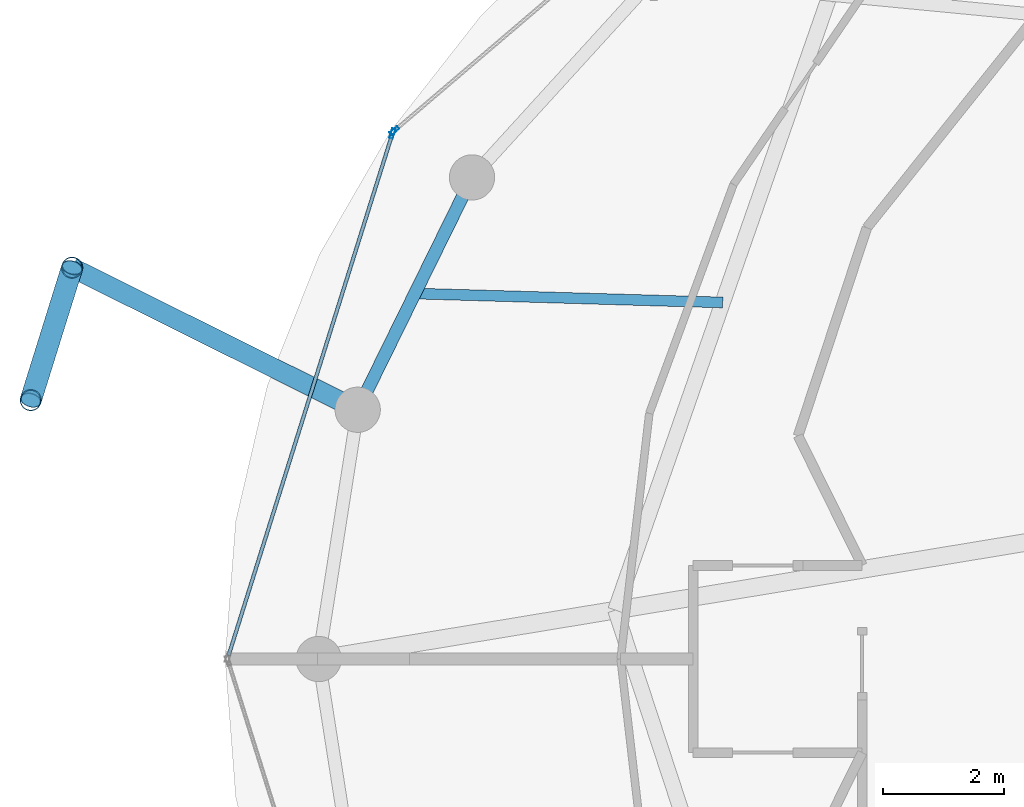
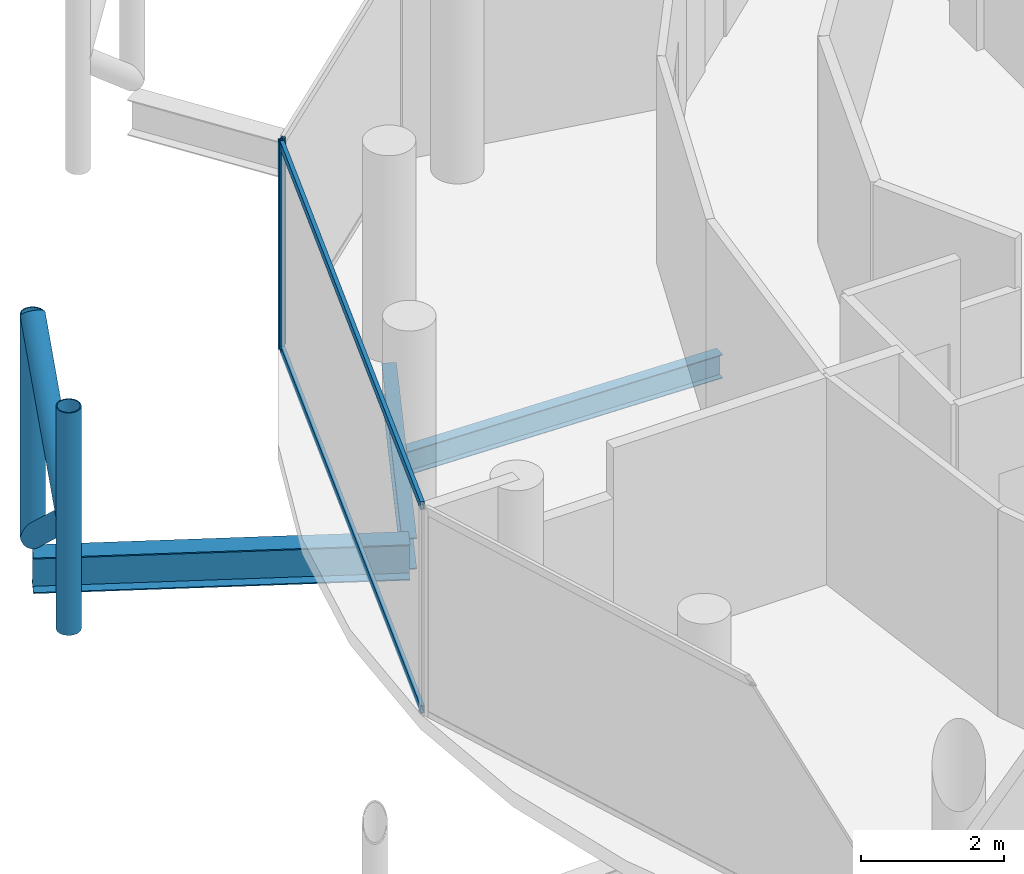
# One storey, part 7 of 24: 8 members, 3 beams, 2 elements without a shape of their own.
"""IFC4 building model written with IfcOpenShell, lengths in metres."""

from ifc_helpers import new_model, si_unit, direction, frame, origin, origin_2d, place, context, subcontext, project, spatial, hollow_rectangle, hollow_circle, i_section, extrude, material, layer, layer_set, material_profile, profile_set, type_object, element, aggregate, save


model = new_model("IFC4")

# Units and contexts
model_context = context("Model", 3, precision=1e-05, world=origin(), true_north=direction((0.0, 1.0)))
body_context = subcontext(model_context, "Body", "Model", "MODEL_VIEW")
ifc_project = project(units=[si_unit("LENGTHUNIT", "METRE"), si_unit("AREAUNIT", "SQUARE_METRE"), si_unit("VOLUMEUNIT", "CUBIC_METRE"), si_unit("PLANEANGLEUNIT", "RADIAN"), si_unit("MASSUNIT", "GRAM", prefix="KILO")], contexts=[model_context])

# Site, building, storey
site_placement = place(None, origin())
site = spatial("IfcSite", under=ifc_project, at=site_placement, CompositionType="ELEMENT")
building_placement = place(site_placement, origin())
building = spatial("IfcBuilding", under=site, at=building_placement, Name="Nuhasar Tower", CompositionType="ELEMENT")
storey_placement = place(building_placement, frame((0.0, 0.0, 289.800048828125)))
storey = spatial("IfcBuildingStorey", under=building, at=storey_placement, Name="L72", CompositionType="ELEMENT", Elevation=289.800048828125)

# Beams
ifc_material_1 = material(Name="Steel S355", Category="steel")
ifc_material_profile_1 = material_profile(ifc_material_1, i_section(OverallWidth=0.177978515625, OverallDepth=0.406005859375, WebThickness=0.0078125, FlangeThickness=0.0126953125, at=origin_2d()), Name="W16X40")
ifc_profile_set_1 = profile_set([ifc_material_profile_1], Name="Steel S355")
beam_type_1 = type_object("IfcBeamType", Name="BM-JST-W16X40", PredefinedType="JOIST", material=ifc_profile_set_1)
beam_1_placement = place(storey_placement, frame((26.739990234375, 32.7041015625, -0.463134765625), z_axis=(-0.999579139243, 0.02900938453, 0.0), x_axis=(-0.02900938453, -0.999579139243, 0.0)))
element("IfcBeam", 1, at=beam_1_placement, inside=storey, type_object=beam_type_1, Name="L72 Secondary Floor Joist 07", PredefinedType="JOIST", context=body_context, shape_type="SweptSolid", body=[
    extrude(i_section(OverallWidth=0.177978515625, OverallDepth=0.406005859375, WebThickness=0.0078125, FlangeThickness=0.0126953125, at=origin_2d()), origin(), (0.0, 0.0, 1.0), 5.10009765625),
])
ifc_material_profile_2 = material_profile(ifc_material_1, i_section(OverallWidth=0.2099609375, OverallDepth=0.537109375, WebThickness=0.010986328125, FlangeThickness=0.017333984375, at=origin_2d()), Name="W21X68")
ifc_profile_set_2 = profile_set([ifc_material_profile_2], Name="Steel S355")
beam_type_2 = type_object("IfcBeamType", Name="BM-RING-W21X68", PredefinedType="SPANDREL", material=ifc_profile_set_2)
beam_2_placement = place(storey_placement, frame((22.589111328125, 34.77490234375, -0.528076171875), z_axis=(-0.441533119295, -0.897244952377, 0.0), x_axis=(0.897244952377, -0.441533119295, 0.0)))
element("IfcBeam", 2, at=beam_2_placement, inside=storey, type_object=beam_type_2, Name="L72 Perimeter Ring Spandrel 11", PredefinedType="SPANDREL", context=body_context, shape_type="SweptSolid", body=[
    extrude(i_section(OverallWidth=0.2099609375, OverallDepth=0.537109375, WebThickness=0.010986328125, FlangeThickness=0.017333984375, at=origin_2d()), origin(), (0.0, 0.0, 1.0), 4.28759765625),
])
ifc_material_profile_3 = material_profile(ifc_material_1, i_section(OverallWidth=0.323974609375, OverallDepth=0.611083984375, WebThickness=0.0126953125, FlangeThickness=0.01904296875, at=origin_2d()), Name="W24X104")
ifc_profile_set_3 = profile_set([ifc_material_profile_3], Name="Steel S355")
beam_type_3 = type_object("IfcBeamType", Name="BM-TIE-W24X104", PredefinedType="BEAM", material=ifc_profile_set_3)
beam_3_placement = place(storey_placement, frame((20.696044921875, 30.927978515625, -0.56494140625), z_axis=(-0.895294451274, 0.445474853969, 0.0), x_axis=(-0.445474853969, -0.895294451274, 0.0)))
element("IfcBeam", 3, at=beam_3_placement, inside=storey, type_object=beam_type_3, Name="L72 Exoskeleton Node Tie Beam 06", PredefinedType="BEAM", context=body_context, shape_type="SweptSolid", body=[
    extrude(i_section(OverallWidth=0.323974609375, OverallDepth=0.611083984375, WebThickness=0.0126953125, FlangeThickness=0.01904296875, at=origin_2d()), origin(), (0.0, 0.0, 1.0), 5.281982421875),
])

# Curtain wall, member
ifc_material_2 = material(Name="Aluminium 6063-T6", Category="aluminium")
ifc_layer = layer(ifc_material_2, 0.18994140625)
ifc_layer_set = layer_set([ifc_layer], Name="Aluminium 6063-T6")
curtain_wall_type = type_object("IfcCurtainWallType", Name="CW-Z4-PEN", PredefinedType="NOTDEFINED", material=ifc_layer_set)
curtain_wall_1_placement = place(storey_placement, origin())
curtain_wall_1 = element("IfcCurtainWall", 4, at=curtain_wall_1_placement, inside=storey, type_object=curtain_wall_type, Name="L72 Unitised Curtain Wall 05", PredefinedType="NOTDEFINED")
ifc_material_profile_4 = material_profile(ifc_material_2, hollow_rectangle(XDim=0.06005859375, YDim=0.1650390625, WallThickness=0.0048828125, at=origin_2d()), Name="CWM-5")
ifc_profile_set_4 = profile_set([ifc_material_profile_4], Name="Aluminium 6063-T6")
member_type_1 = type_object("IfcMemberType", Name="CW-MUL-S5", PredefinedType="MULLION", material=ifc_profile_set_4)
member_1_placement = place(storey_placement, frame((21.3037109375, 35.549560546875, 0.0), z_axis=(0.0, 0.0, 1.0), x_axis=(0.649141996205, -0.760667252327, 0.0)))
member_1 = element("IfcMember", 5, at=member_1_placement, type_object=member_type_1, Name="CW-Z4 mullion 2", PredefinedType="MULLION", context=body_context, shape_type="SweptSolid", body=[
    extrude(hollow_rectangle(XDim=0.06005859375, YDim=0.1650390625, WallThickness=0.0048828125, at=origin_2d()), origin(), (0.0, 0.0, 1.0), 3.5400390625),
])
aggregate(curtain_wall_1, [member_1])

# Curtain wall, members
curtain_wall_2_placement = place(storey_placement, origin())
curtain_wall_2 = element("IfcCurtainWall", 6, at=curtain_wall_2_placement, inside=storey, type_object=curtain_wall_type, Name="L72 Unitised Curtain Wall 06", PredefinedType="NOTDEFINED")
member_2_placement = place(storey_placement, frame((21.27197265625, 35.50146484375, 0.0), z_axis=(0.0, 0.0, 1.0), x_axis=(0.954078526601, -0.299556614146, 0.0)))
member_2 = element("IfcMember", 7, at=member_2_placement, type_object=member_type_1, Name="CW-Z4 mullion 1", PredefinedType="MULLION", context=body_context, shape_type="SweptSolid", body=[
    extrude(hollow_rectangle(XDim=0.06005859375, YDim=0.1650390625, WallThickness=0.0048828125, at=origin_2d()), origin(), (0.0, 0.0, 1.0), 3.5400390625),
])
ifc_material_profile_5 = material_profile(ifc_material_2, hollow_rectangle(XDim=0.06005859375, YDim=0.135009765625, WallThickness=0.00439453125, at=origin_2d()), Name="CWT-5")
ifc_profile_set_5 = profile_set([ifc_material_profile_5], Name="Aluminium 6063-T6")
member_type_2 = type_object("IfcMemberType", Name="CW-TRN-S5", PredefinedType="USERDEFINED", material=ifc_profile_set_5)
member_3_placement = place(storey_placement, frame((21.262939453125, 35.47265625, 0.030029296875), z_axis=(-0.29956014073, -0.954077419335, 0.0), x_axis=(0.954077419335, -0.29956014073, 0.0)))
member_3 = element("IfcMember", 8, at=member_3_placement, type_object=member_type_2, Name="CW-Z4 transom 1.1", ObjectType="TRANSOM", PredefinedType="USERDEFINED", context=body_context, shape_type="SweptSolid", body=[
    extrude(hollow_rectangle(XDim=0.06005859375, YDim=0.135009765625, WallThickness=0.00439453125, at=origin_2d()), origin(), (0.0, 0.0, 1.0), 9.0302734375),
])
member_4_placement = place(storey_placement, frame((21.262939453125, 35.47265625, 3.510009765625), z_axis=(-0.29956014073, -0.954077419335, 0.0), x_axis=(0.954077419335, -0.29956014073, 0.0)))
member_4 = element("IfcMember", 9, at=member_4_placement, type_object=member_type_2, Name="CW-Z4 transom 1.2", ObjectType="TRANSOM", PredefinedType="USERDEFINED", context=body_context, shape_type="SweptSolid", body=[
    extrude(hollow_rectangle(XDim=0.06005859375, YDim=0.135009765625, WallThickness=0.00439453125, at=origin_2d()), origin(), (0.0, 0.0, 1.0), 9.0302734375),
])
aggregate(curtain_wall_2, [member_2, member_3, member_4])

# Members
ifc_material_3 = material(Name="Steel S460", Category="steel")
ifc_material_profile_6 = material_profile(ifc_material_3, hollow_circle(Radius=0.177734375, WallThickness=0.015869140625, at=origin_2d()), Name="HSS355.6X15.9")
ifc_profile_set_6 = profile_set([ifc_material_profile_6], Name="Steel S460")
member_type_3 = type_object("IfcMemberType", Name="EXO-BRONZE-356", PredefinedType="BRACE", material=ifc_profile_set_6)
for number, where, z_axis, x_axis, name in (
    (10, (15.967041015625, 33.281005859375, 0.0), (0.0, 0.0, 1.0), (1.0, 0.0, 0.0), "L72 Exoskeleton Chord Column EC-06A"),
    (11, (15.281982421875, 31.0859375, 0.0), (0.0, 0.0, 1.0), (1.0, 0.0, 0.0), "L72 Exoskeleton Chord Column EC-06B"),
):
    element("IfcMember", number, at=place(storey_placement, frame(where, z_axis=z_axis, x_axis=x_axis)), inside=storey, type_object=member_type_3, Name=name, PredefinedType="BRACE", context=body_context, shape_type="SweptSolid", body=[
        extrude(hollow_circle(Radius=0.177734375, WallThickness=0.015869140625, at=origin_2d()), origin(), (0.0, 0.0, 1.0), 3.800048828125),
    ])
for number, where, z_axis, x_axis, name in (
    (12, (15.967041015625, 33.281005859375, 0.0), (-0.229667527485, -0.735901902929, 0.636946792192), (0.954591372974, -0.297918295247, 0.0), "L72 Bronze Diagrid Brace W1-06"),
    (13, (15.281982421875, 31.0859375, 1.89990234375), (0.22965555433, 0.735863538482, 0.636995430987), (-0.954591372974, 0.297918295247, 0.0), "L72 Bronze Diagrid Brace W2-06"),
):
    element("IfcMember", number, at=place(storey_placement, frame(where, z_axis=z_axis, x_axis=x_axis)), inside=storey, type_object=member_type_3, Name=name, PredefinedType="BRACE", context=body_context, shape_type="SweptSolid", body=[
        extrude(hollow_circle(Radius=0.177734375, WallThickness=0.015869140625, at=origin_2d()), origin(), (0.0, 0.0, 1.0), 2.98291015625),
    ])

save(model, "model.ifc")
